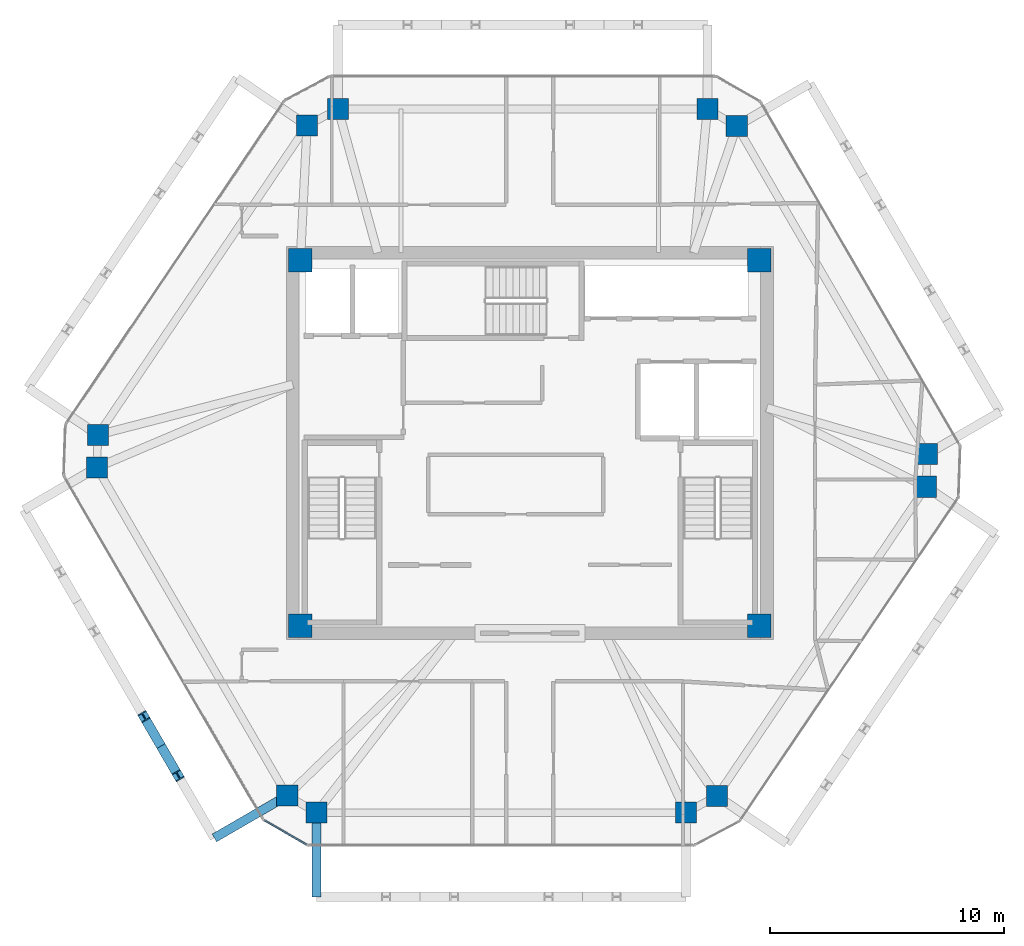
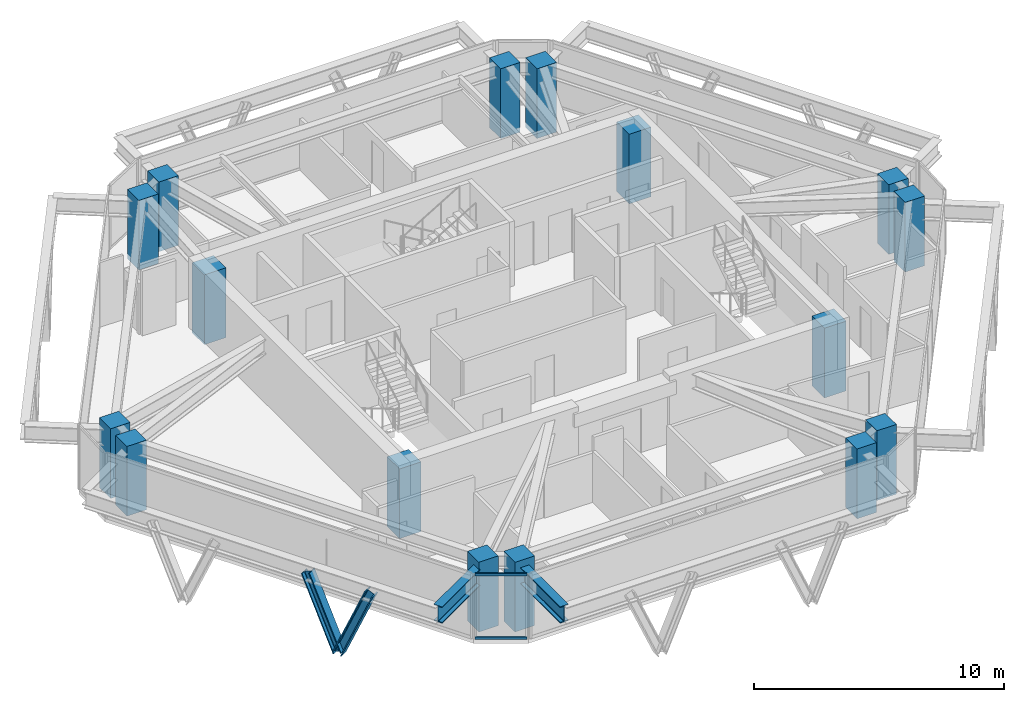
# One storey, part 1 of 11: 16 columns, 4 members, 2 beams, 1 element without a shape of its own.
"""IFC4 building model written with IfcOpenShell, lengths in metres."""

from ifc_helpers import new_model, si_unit, direction, frame, origin, origin_2d, place, context, subcontext, project, spatial, rectangle, i_section, extrude, source, transform, mapped, material, layer, layer_set, material_profile, profile_set, type_object, type_shapes, element, aggregate, save


model = new_model("IFC4")

# Units and contexts
model_context = context("Model", 3, precision=1e-05, world=origin(), true_north=direction((0.0, 1.0)))
body_context = subcontext(model_context, "Body", "Model", "MODEL_VIEW")
ifc_project = project(units=[si_unit("LENGTHUNIT", "METRE"), si_unit("AREAUNIT", "SQUARE_METRE"), si_unit("VOLUMEUNIT", "CUBIC_METRE"), si_unit("PLANEANGLEUNIT", "RADIAN"), si_unit("MASSUNIT", "GRAM", prefix="KILO")], contexts=[model_context])

# Site, building, storey
site_placement = place(None, origin())
site = spatial("IfcSite", under=ifc_project, at=site_placement, CompositionType="ELEMENT")
building_placement = place(site_placement, origin())
building = spatial("IfcBuilding", under=site, at=building_placement, Name="Durnholm Broadcast Tower", CompositionType="ELEMENT")
storey_placement = place(building_placement, frame((0.0, 0.0, 251.300048828125)))
storey = spatial("IfcBuildingStorey", under=building, at=storey_placement, Name="L70", CompositionType="ELEMENT", Elevation=251.300048828125)

# Columns
ifc_material_1 = material(Name="Concrete C70/85", Category="concrete")
ifc_material_profile_1 = material_profile(ifc_material_1, rectangle(XDim=1.0, YDim=1.0, at=origin_2d()), Name="RC1000X1000")
ifc_profile_set_1 = profile_set([ifc_material_profile_1], Name="Concrete C70/85")
column_type_1 = type_object("IfcColumnType", Name="COL-CC-1000", PredefinedType="COLUMN", material=ifc_profile_set_1)
shared_shape_1 = source(origin(), body_context, "Body", "SweptSolid", [
    extrude(rectangle(XDim=1.0, YDim=1.0, at=origin_2d()), origin(), (0.0, 0.0, 1.0), 3.39990234375),
])
type_shapes(column_type_1, [shared_shape_1])
for number, where, z_axis, x_axis, name in (
    (1, (-9.800048828125, -7.800048828125, -0.239990234375), (0.0, 0.0, 1.0), (1.0, 0.0, 0.0), "L70 core corner column 1"),
    (2, (9.800048828125, -7.800048828125, -0.239990234375), (0.0, 0.0, 1.0), (1.0, 0.0, 0.0), "L70 core corner column 2"),
    (3, (9.800048828125, 7.800048828125, -0.239990234375), (0.0, 0.0, 1.0), (1.0, 0.0, 0.0), "L70 core corner column 3"),
    (4, (-9.800048828125, 7.800048828125, -0.239990234375), (0.0, 0.0, 1.0), (1.0, 0.0, 0.0), "L70 core corner column 4"),
):
    element("IfcColumn", number, at=place(storey_placement, frame(where, z_axis=z_axis, x_axis=x_axis)), inside=storey, type_object=column_type_1, Name=name, PredefinedType="COLUMN", context=body_context, shape_type="MappedRepresentation", body=[
        mapped(shared_shape_1, transform((0.0, 0.0, 0.0), x_axis=(1.0, 0.0, 0.0), y_axis=(0.0, 1.0, 0.0), z_axis=(0.0, 0.0, 1.0), scale=1.0)),
    ])
ifc_material_profile_2 = material_profile(ifc_material_1, rectangle(XDim=0.89990234375, YDim=0.89990234375, at=origin_2d()), Name="RC900X900")
ifc_profile_set_2 = profile_set([ifc_material_profile_2], Name="Concrete C70/85")
column_type_2 = type_object("IfcColumnType", Name="COL-CC-900", PredefinedType="COLUMN", material=ifc_profile_set_2)
shared_shape_2 = source(origin(), body_context, "Body", "SweptSolid", [
    extrude(rectangle(XDim=0.89990234375, YDim=0.89990234375, at=origin_2d()), origin(), (0.0, 0.0, 1.0), 3.39990234375),
])
type_shapes(column_type_2, [shared_shape_2])
for number, where, z_axis, x_axis, name in (
    (5, (-10.361328125, -15.061767578125, -0.239990234375), (0.0, 0.0, 1.0), (1.0, 0.0, 0.0), "L70 perimeter hexagonal tube column 01"),
    (6, (-18.494384765625, -1.0478515625, -0.239990234375), (0.0, 0.0, 1.0), (1.0, 0.0, 0.0), "L70 perimeter hexagonal tube column 02"),
    (7, (-18.4462890625, 0.345947265625, -0.239990234375), (0.0, 0.0, 1.0), (1.0, 0.0, 0.0), "L70 perimeter hexagonal tube column 03"),
    (8, (-9.514892578125, 13.557373046875, -0.239990234375), (0.0, 0.0, 1.0), (1.0, 0.0, 0.0), "L70 perimeter hexagonal tube column 04"),
    (9, (-8.187744140625, 14.261962890625, -0.239990234375), (0.0, 0.0, 1.0), (1.0, 0.0, 0.0), "L70 perimeter hexagonal tube column 05"),
    (10, (7.57958984375, 14.261962890625, -0.239990234375), (0.0, 0.0, 1.0), (1.0, 0.0, 0.0), "L70 perimeter hexagonal tube column 06"),
    (11, (8.83740234375, 13.53759765625, -0.239990234375), (0.0, 0.0, 1.0), (1.0, 0.0, 0.0), "L70 perimeter hexagonal tube column 07"),
    (12, (16.97021484375, -0.47607421875, -0.239990234375), (0.0, 0.0, 1.0), (1.0, 0.0, 0.0), "L70 perimeter hexagonal tube column 08"),
    (13, (16.92236328125, -1.869873046875, -0.239990234375), (0.0, 0.0, 1.0), (1.0, 0.0, 0.0), "L70 perimeter hexagonal tube column 09"),
    (14, (7.990966796875, -15.081298828125, -0.239990234375), (0.0, 0.0, 1.0), (1.0, 0.0, 0.0), "L70 perimeter hexagonal tube column 10"),
    (15, (6.663818359375, -15.785888671875, -0.239990234375), (0.0, 0.0, 1.0), (1.0, 0.0, 0.0), "L70 perimeter hexagonal tube column 11"),
    (16, (-9.103759765625, -15.785888671875, -0.239990234375), (0.0, 0.0, 1.0), (1.0, 0.0, 0.0), "L70 perimeter hexagonal tube column 12"),
):
    element("IfcColumn", number, at=place(storey_placement, frame(where, z_axis=z_axis, x_axis=x_axis)), inside=storey, type_object=column_type_2, Name=name, PredefinedType="COLUMN", context=body_context, shape_type="MappedRepresentation", body=[
        mapped(shared_shape_2, transform((0.0, 0.0, 0.0), x_axis=(1.0, 0.0, 0.0), y_axis=(0.0, 1.0, 0.0), z_axis=(0.0, 0.0, 1.0), scale=1.0)),
    ])

# Beams
ifc_material_2 = material(Name="Steel ASTM A992 Grade 50", Category="steel")
ifc_material_profile_3 = material_profile(ifc_material_2, i_section(OverallWidth=0.385009765625, OverallDepth=0.802978515625, WebThickness=0.023681640625, FlangeThickness=0.0419921875, FilletRadius=0.032958984375, at=origin_2d()), Name="W30X261")
ifc_profile_set_3 = profile_set([ifc_material_profile_3], Name="Steel ASTM A992 Grade 50")
beam_type = type_object("IfcBeamType", Name="BM-EXO-TIE", PredefinedType="USERDEFINED", material=ifc_profile_set_3)
shared_shape_3 = source(origin(), body_context, "Body", "SweptSolid", [
    extrude(i_section(OverallWidth=0.385009765625, OverallDepth=0.802978515625, WebThickness=0.023681640625, FlangeThickness=0.0419921875, FilletRadius=0.032958984375, at=origin_2d()), origin(), (0.0, 0.0, 1.0), 3.4560546875),
])
type_shapes(beam_type, [shared_shape_3])
for number, where, z_axis, x_axis, name in (
    (17, (-9.103759765625, -15.929931640625, 2.408447265625), (0.0, -1.0, 0.0), (1.0, 0.0, 0.0), "L70 exoskeleton stand-off tie bracket F1.1"),
    (18, (-10.48583984375, -15.134033203125, 2.408447265625), (-0.864924479231, -0.501902027518, 0.0), (0.501902027518, -0.864924479231, 0.0), "L70 exoskeleton stand-off tie bracket F6.2"),
):
    element("IfcBeam", number, at=place(storey_placement, frame(where, z_axis=z_axis, x_axis=x_axis)), inside=storey, type_object=beam_type, Name=name, ObjectType="GIRDER", PredefinedType="USERDEFINED", context=body_context, shape_type="MappedRepresentation", body=[
        mapped(shared_shape_3, transform((0.0, 0.0, 0.0), x_axis=(1.0, 0.0, 0.0), y_axis=(0.0, 1.0, 0.0), z_axis=(0.0, 0.0, 1.0), scale=1.0)),
    ])

# Members
ifc_material_3 = material(Name="Steel ASTM A913 Grade 65", Category="steel")
ifc_material_profile_4 = material_profile(ifc_material_3, i_section(OverallWidth=0.40625, OverallDepth=0.416015625, WebThickness=0.02978515625, FlangeThickness=0.048095703125, FilletRadius=0.030517578125, at=origin_2d()), Name="W14X257")
ifc_profile_set_4 = profile_set([ifc_material_profile_4], Name="Steel ASTM A913 Grade 65")
member_type_1 = type_object("IfcMemberType", Name="STL-DG-W14X257", PredefinedType="BRACE", material=ifc_profile_set_4)
shared_shape_4 = source(origin(), body_context, "Body", "SweptSolid", [
    extrude(i_section(OverallWidth=0.40625, OverallDepth=0.416015625, WebThickness=0.02978515625, FlangeThickness=0.048095703125, FilletRadius=0.030517578125, at=origin_2d()), origin(), (0.0, 0.0, 1.0), 3.699462890625),
])
type_shapes(member_type_1, [shared_shape_4])
for number, where, z_axis, x_axis, name in (
    (19, (-15.752197265625, -12.94482421875, -0.991455078125), (-0.197850494882, 0.340925836077, 0.919034687033), (-0.864906184135, -0.501933554014, 0.0), "L70 stand-off diagrid brace F6.D2.1"),
    (20, (-15.752197265625, -12.94482421875, -0.991455078125), (0.197850494882, -0.340925836077, 0.919034687033), (0.864906184135, 0.501933554014, 0.0), "L70 stand-off diagrid brace F6.D2.2"),
):
    element("IfcMember", number, at=place(storey_placement, frame(where, z_axis=z_axis, x_axis=x_axis)), inside=storey, type_object=member_type_1, Name=name, PredefinedType="BRACE", context=body_context, shape_type="MappedRepresentation", body=[
        mapped(shared_shape_4, transform((0.0, 0.0, 0.0), x_axis=(1.0, 0.0, 0.0), y_axis=(0.0, 1.0, 0.0), z_axis=(0.0, 0.0, 1.0), scale=1.0)),
    ])

# Curtain wall, members
ifc_material_4 = material(Name="Aluminium and Solar Control IGU", Category="aluminium")
ifc_layer = layer(ifc_material_4, 0.1650390625)
ifc_layer_set = layer_set([ifc_layer], Name="Aluminium and Solar Control IGU")
curtain_wall_type = type_object("IfcCurtainWallType", Name="CW-SYS-5", PredefinedType="NOTDEFINED", material=ifc_layer_set)
curtain_wall_placement = place(storey_placement, origin())
curtain_wall = element("IfcCurtainWall", 21, at=curtain_wall_placement, inside=storey, type_object=curtain_wall_type, Name="L70 curtain wall CW-CORNER CW-L70-CRN-11", PredefinedType="NOTDEFINED")
ifc_material_5 = material(Name="Aluminium 6063-T6", Category="aluminium")
ifc_material_profile_5 = material_profile(ifc_material_5, rectangle(XDim=0.06494140625, YDim=0.1298828125, at=origin_2d()), Name="CWT65X130")
ifc_profile_set_5 = profile_set([ifc_material_profile_5], Name="Aluminium 6063-T6")
member_type_2 = type_object("IfcMemberType", Name="CW-SYS-5-TRN", PredefinedType="USERDEFINED", material=ifc_profile_set_5)
shared_shape_5 = source(origin(), body_context, "Body", "SweptSolid", [
    extrude(rectangle(XDim=0.06494140625, YDim=0.1298828125, at=origin_2d()), origin(), (0.0, 0.0, 1.0), 2.06982421875),
])
type_shapes(member_type_2, [shared_shape_5])
member_1_placement = place(storey_placement, frame((-9.534423828125, -17.153564453125, 0.032470703125), z_axis=(-0.866576086718, 0.499044973854, 0.0), x_axis=(-0.499044973854, -0.866576086718, 0.0)))
member_1 = element("IfcMember", 22, at=member_1_placement, type_object=member_type_2, Name="CW-CORNER transom 1.1", ObjectType="TRANSOM", PredefinedType="USERDEFINED", context=body_context, shape_type="MappedRepresentation", body=[
    mapped(shared_shape_5, transform((0.0, 0.0, 0.0), x_axis=(1.0, 0.0, 0.0), y_axis=(0.0, 1.0, 0.0), z_axis=(0.0, 0.0, 1.0), scale=1.0)),
])
member_2_placement = place(storey_placement, frame((-9.534423828125, -17.153564453125, 3.12744140625), z_axis=(-0.866576086718, 0.499044973854, 0.0), x_axis=(-0.499044973854, -0.866576086718, 0.0)))
member_2 = element("IfcMember", 23, at=member_2_placement, type_object=member_type_2, Name="CW-CORNER transom 1.2", ObjectType="TRANSOM", PredefinedType="USERDEFINED", context=body_context, shape_type="MappedRepresentation", body=[
    mapped(shared_shape_5, transform((0.0, 0.0, 0.0), x_axis=(1.0, 0.0, 0.0), y_axis=(0.0, 1.0, 0.0), z_axis=(0.0, 0.0, 1.0), scale=1.0)),
])
aggregate(curtain_wall, [member_1, member_2])

save(model, "model.ifc")
